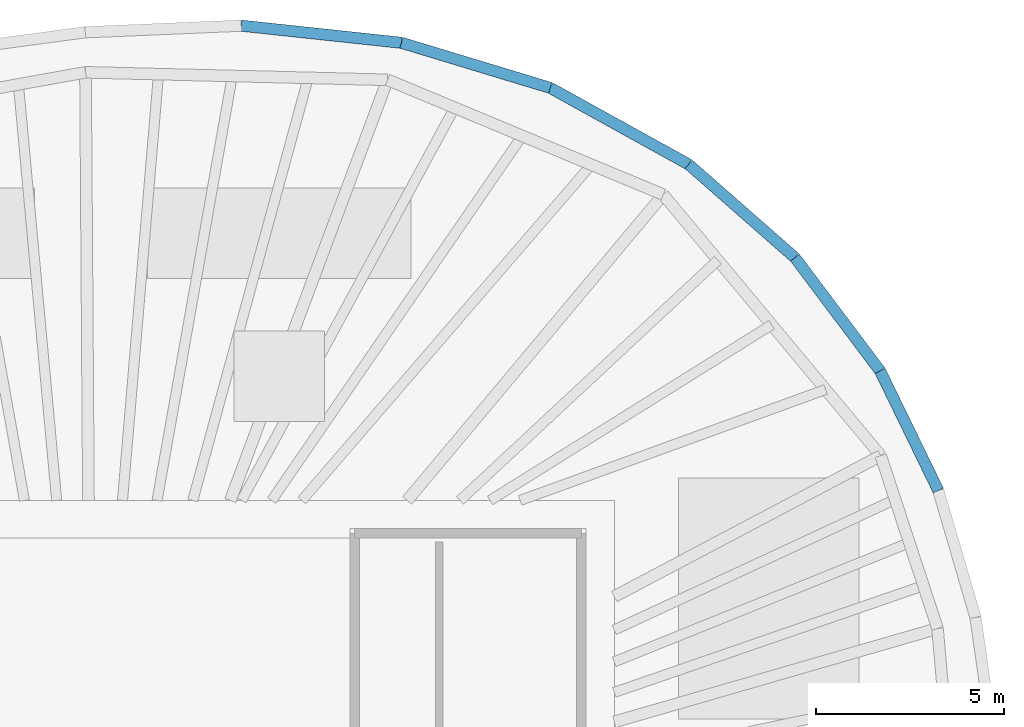
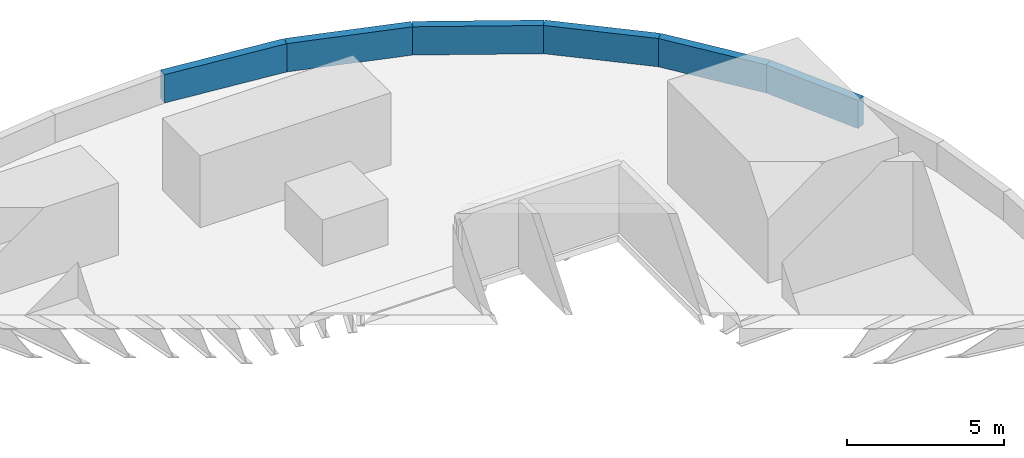
# One storey, part 4 of 6: 6 walls.
"""IFC4 building model written with IfcOpenShell, lengths in metres."""

from ifc_helpers import new_model, si_unit, direction, frame, frame_2d, origin, place, context, subcontext, project, spatial, rectangle, extrude, material, layer, layer_set, type_object, element, save


model = new_model("IFC4")

# Units and contexts
model_context = context("Model", 3, precision=1e-05, world=origin(), true_north=direction((0.0, 1.0)))
body_context = subcontext(model_context, "Body", "Model", "MODEL_VIEW")
ifc_project = project(units=[si_unit("LENGTHUNIT", "METRE"), si_unit("AREAUNIT", "SQUARE_METRE"), si_unit("VOLUMEUNIT", "CUBIC_METRE"), si_unit("PLANEANGLEUNIT", "RADIAN"), si_unit("MASSUNIT", "GRAM", prefix="KILO")], contexts=[model_context])

# Site, building, storey
site_placement = place(None, origin())
site = spatial("IfcSite", under=ifc_project, at=site_placement, CompositionType="ELEMENT")
building_placement = place(site_placement, origin())
building = spatial("IfcBuilding", under=site, at=building_placement, Name="Ghaith Harvest Tower", CompositionType="ELEMENT")
storey_placement = place(building_placement, frame((0.0, 0.0, 349.199951171875)))
storey = spatial("IfcBuildingStorey", under=building, at=storey_placement, Name="RF", CompositionType="ELEMENT", Elevation=349.199951171875)

# Walls
ifc_material = material(Name="Concrete C40/50", Category="concrete")
ifc_layer = layer(ifc_material, 0.300048828125)
ifc_layer_set = layer_set([ifc_layer], Name="PARAPET 300")
wall_type = type_object("IfcWallType", Name="PARAPET 300", PredefinedType="PARAPET", material=ifc_layer_set)
wall_1_placement = place(storey_placement, frame((22.508056640625, 10.1611328125, 0.0), z_axis=(0.0, 0.0, 1.0), x_axis=(-0.437574386736, 0.899182215167, 0.0)))
element("IfcWall", 1, at=wall_1_placement, inside=storey, type_object=wall_type, Name="Parapet 02.2 RF", PredefinedType="PARAPET", context=body_context, shape_type="SweptSolid", body=[
    extrude(rectangle(XDim=3.53515625, YDim=0.300048828125, at=frame_2d((1.767578125, 0.0))), origin(), (0.0, 0.0, 1.0), 1.10009765625),
])
wall_2_placement = place(storey_placement, frame((20.961181640625, 13.33984375, 0.0), z_axis=(0.0, 0.0, 1.0), x_axis=(-0.601067914805, 0.799197949067, 0.0)))
element("IfcWall", 2, at=wall_2_placement, inside=storey, type_object=wall_type, Name="Parapet 03.1 RF", PredefinedType="PARAPET", context=body_context, shape_type="SweptSolid", body=[
    extrude(rectangle(XDim=3.765625, YDim=0.300048828125, at=frame_2d((1.8828125, 0.0))), origin(), (0.0, 0.0, 1.0), 1.10009765625),
])
wall_3_placement = place(storey_placement, frame((18.69775390625, 16.349365234375, 0.0), z_axis=(0.0, 0.0, 1.0), x_axis=(-0.751701995158, 0.659502926813, 0.0)))
element("IfcWall", 3, at=wall_3_placement, inside=storey, type_object=wall_type, Name="Parapet 03.2 RF", PredefinedType="PARAPET", context=body_context, shape_type="SweptSolid", body=[
    extrude(rectangle(XDim=3.7548828125, YDim=0.300048828125, at=frame_2d((1.87744140625, 0.0))), origin(), (0.0, 0.0, 1.0), 1.10009765625),
])
wall_4_placement = place(storey_placement, frame((15.875244140625, 18.82568359375, 0.0), z_axis=(0.0, 0.0, 1.0), x_axis=(-0.875161256751, 0.48383134942, 0.0)))
element("IfcWall", 4, at=wall_4_placement, inside=storey, type_object=wall_type, Name="Parapet 04.1 RF", PredefinedType="PARAPET", context=body_context, shape_type="SweptSolid", body=[
    extrude(rectangle(XDim=4.201904296875, YDim=0.300048828125, at=frame_2d((2.10107421875, 0.0))), origin(), (0.0, 0.0, 1.0), 1.10009765625),
])
wall_5_placement = place(storey_placement, frame((12.197998046875, 20.858642578125, 0.0), z_axis=(0.0, 0.0, 1.0), x_axis=(-0.957058205859, 0.289895827148, 0.0)))
element("IfcWall", 5, at=wall_5_placement, inside=storey, type_object=wall_type, Name="Parapet 04.2 RF", PredefinedType="PARAPET", context=body_context, shape_type="SweptSolid", body=[
    extrude(rectangle(XDim=4.1298828125, YDim=0.300048828125, at=frame_2d((2.06494140625, 0.0))), origin(), (0.0, 0.0, 1.0), 1.10009765625),
])
wall_6_placement = place(storey_placement, frame((8.245361328125, 22.055908203125, 0.0), z_axis=(0.0, 0.0, 1.0), x_axis=(-0.994335025412, 0.10629137895, 0.0)))
element("IfcWall", 6, at=wall_6_placement, inside=storey, type_object=wall_type, Name="Parapet 05.1 RF", PredefinedType="PARAPET", context=body_context, shape_type="SweptSolid", body=[
    extrude(rectangle(XDim=4.279052734375, YDim=0.300048828125, at=frame_2d((2.1396484375, 0.0))), origin(), (0.0, 0.0, 1.0), 1.10009765625),
])

save(model, "model.ifc")
